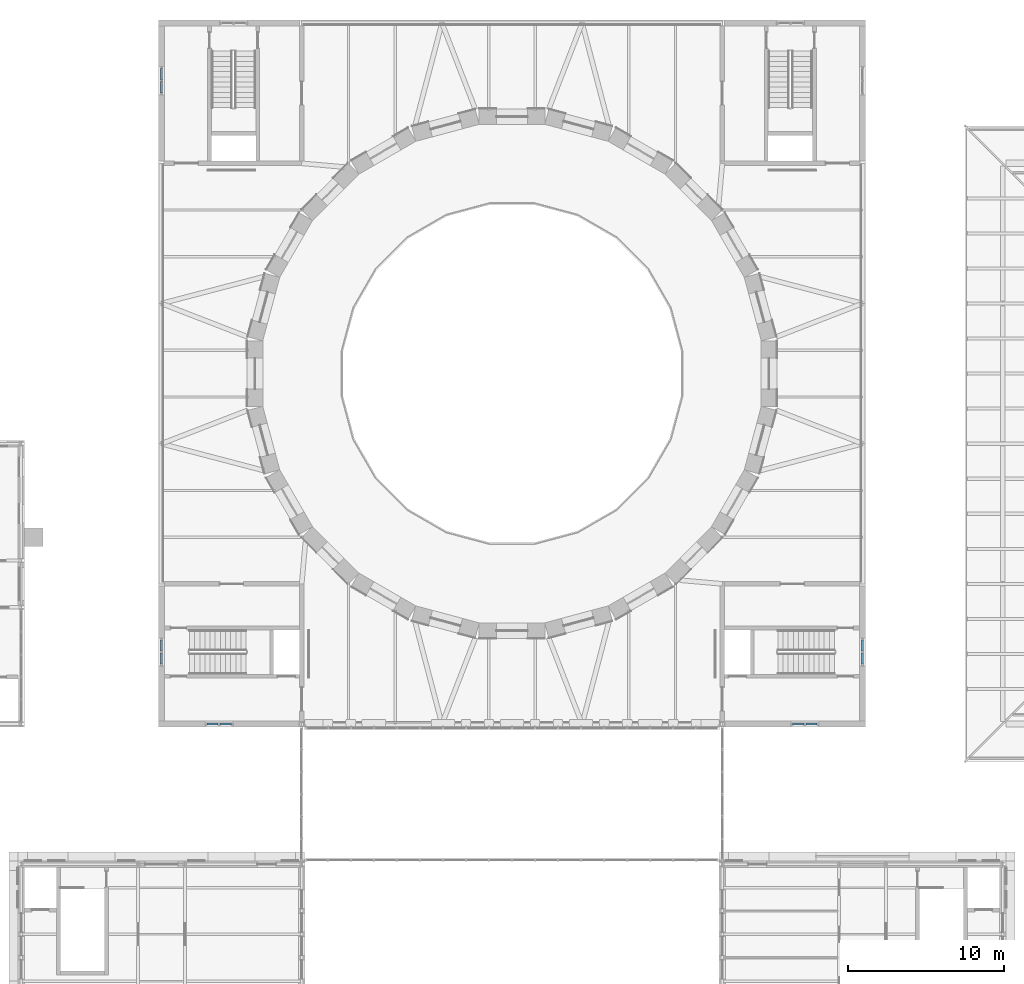
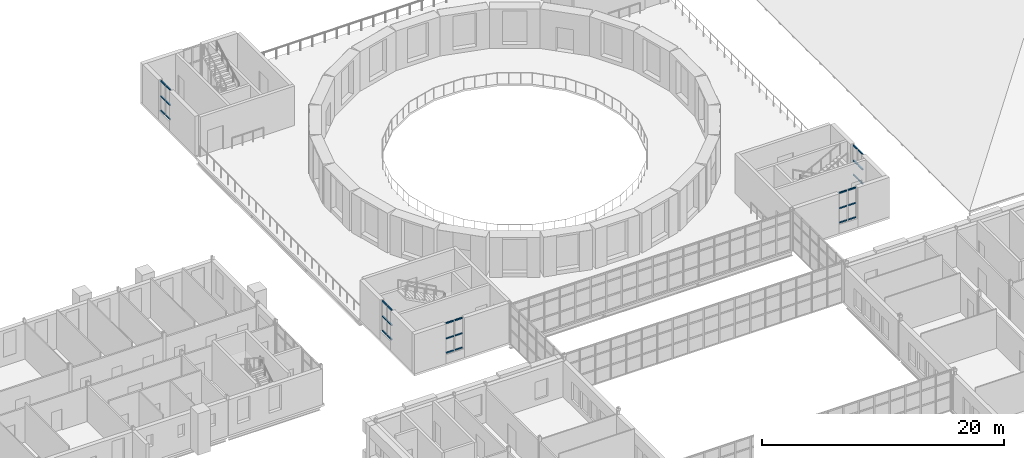
# One storey, part 77 of 154: 30 members, 5 elements without a shape of their own.
"""IFC4 building model written with IfcOpenShell, lengths in metres."""

import ifcopenshell
import ifcopenshell.guid

model = None  # the IFC model being written
_history = None  # IfcOwnerHistory: only IFC2X3 demands one
_inside = {}  # id of a spatial element -> (the spatial element, [elements in it])
_under = {}  # id of a project, library or spatial element -> (it, [spatial elements below it])
_declared = {}  # id of a project -> (the project, [libraries it declares])
_typed = {}  # id of a type object -> (the type object, [elements of that type])
_made_of = {}  # id of a material, layer set ... -> (it, [elements and type objects made of it])


def new_model(schema):
    """Start an empty IFC model of exactly this schema.

    Asked for "IFC4X3", IfcOpenShell would pick the latest addendum, in which some entities
    have other attributes; the version numbers below select the first issue.
    IFC2X3 requires an IfcOwnerHistory on every rooted entity: one is made here for all.
    """
    global model, _history
    if schema == "IFC4X3":
        model = ifcopenshell.file(schema_version=(4, 3, 0, 0))
    else:
        model = ifcopenshell.file(schema=schema)
    _inside.clear()
    _under.clear()
    _declared.clear()
    _typed.clear()
    _made_of.clear()
    _history = None
    if model.schema == "IFC2X3":
        org = make("IfcOrganization", Name="unknown")
        user = make(
            "IfcPersonAndOrganization",
            ThePerson=make("IfcPerson", FamilyName="unknown"),
            TheOrganization=org,
        )
        app = make(
            "IfcApplication",
            ApplicationDeveloper=org,
            Version="unknown",
            ApplicationFullName="unknown",
            ApplicationIdentifier="unknown",
        )
        _history = make(
            "IfcOwnerHistory",
            OwningUser=user,
            OwningApplication=app,
            ChangeAction="ADDED",
            CreationDate=0,
        )
    return model


def make(cls, **values):
    """One entity of the class cls with the attributes given. An attribute that is None is left unset."""
    return model.create_entity(
        cls, **{name: value for name, value in values.items() if value is not None}
    )


def rooted(cls, **values):
    """An entity with a GlobalId (a new one), such as an element, a storey or a relation."""
    return make(cls, GlobalId=ifcopenshell.guid.new(), OwnerHistory=_history, **values)


def si_unit(unit_type, name, prefix=None):
    """IfcSIUnit, for example si_unit("LENGTHUNIT", "METRE", prefix="MILLI")."""
    return make("IfcSIUnit", UnitType=unit_type, Prefix=prefix, Name=name)


def assignment(units):
    """IfcUnitAssignment: the units of a project."""
    return None if units is None else make("IfcUnitAssignment", Units=units)


def point(xyz):
    """IfcCartesianPoint."""
    return None if xyz is None else make("IfcCartesianPoint", Coordinates=xyz)


def direction(xyz):
    """IfcDirection."""
    return None if xyz is None else make("IfcDirection", DirectionRatios=xyz)


def frame(location, z_axis=None, x_axis=None):
    """IfcAxis2Placement3D, a coordinate frame: its origin and axes. An axis left out is left unset."""
    return make(
        "IfcAxis2Placement3D",
        Location=point(location),
        Axis=direction(z_axis),
        RefDirection=direction(x_axis),
    )


def frame_2d(location, x_axis=None):
    """IfcAxis2Placement2D, a coordinate frame in the plane: its origin and x axis."""
    return make(
        "IfcAxis2Placement2D", Location=point(location), RefDirection=direction(x_axis)
    )


def origin():
    """The frame at (0, 0, 0) with its axes left unset."""
    return frame((0.0, 0.0, 0.0))


def origin_2d():
    """The frame at (0, 0) in the plane with its x axis left unset."""
    return frame_2d((0.0, 0.0))


def place(relative_to, where):
    """IfcLocalPlacement: puts the frame where relative to a parent placement (None: the world)."""
    return make(
        "IfcLocalPlacement", PlacementRelTo=relative_to, RelativePlacement=where
    )


def context(
    kind, dimensions, precision=None, world=None, true_north=None, identifier=None
):
    """IfcGeometricRepresentationContext, for example the 3D "Model" context."""
    return make(
        "IfcGeometricRepresentationContext",
        ContextIdentifier=identifier,
        ContextType=kind,
        CoordinateSpaceDimension=dimensions,
        Precision=precision,
        WorldCoordinateSystem=world,
        TrueNorth=true_north,
    )


def subcontext(parent, identifier, kind, view, scale=None):
    """IfcGeometricRepresentationSubContext, for example "Body" below "Model"."""
    return make(
        "IfcGeometricRepresentationSubContext",
        ContextIdentifier=identifier,
        ContextType=kind,
        ParentContext=parent,
        TargetScale=scale,
        TargetView=view,
    )


def project(units=None, contexts=None):
    """IfcProject with its units and contexts."""
    return rooted(
        "IfcProject",
        Name="project",
        RepresentationContexts=contexts,
        UnitsInContext=assignment(units),
    )


def spatial(cls, under=None, at=None, **own):
    """A site, building, storey or space (cls), placed at a placement, below another one or the project."""
    s = rooted(cls, ObjectPlacement=at, **own)
    if under is not None:
        _under.setdefault(under.id(), (under, []))[1].append(s)
    return s


def profile(cls, at=None, kind="AREA", **sizes):
    """A parametric profile (cls). Its sizes go by their IFC names, for example OverallWidth=200.0."""
    return make(cls, ProfileType=kind, Position=at, **sizes)


def hollow_rectangle(**sizes):
    """IfcRectangleHollowProfileDef."""
    return profile("IfcRectangleHollowProfileDef", **sizes)


def extrude(swept, where, along, depth):
    """IfcExtrudedAreaSolid: the profile swept, set in the frame where, extruded along a direction by depth."""
    return make(
        "IfcExtrudedAreaSolid",
        SweptArea=swept,
        Position=where,
        ExtrudedDirection=direction(along),
        Depth=depth,
    )


def shape(context_of_items, identifier, shape_type, items):
    """IfcShapeRepresentation: the items that make up one representation, for example the "Body"."""
    return make(
        "IfcShapeRepresentation",
        ContextOfItems=context_of_items,
        RepresentationIdentifier=identifier,
        RepresentationType=shape_type,
        Items=items,
    )


def material(Name=None, Category=None):
    """IfcMaterial."""
    return make("IfcMaterial", Name=Name, Category=Category)


def material_profile(
    of_material, cross_section, Name=None, Category=None, Priority=None
):
    """IfcMaterialProfile: a cross section and its material."""
    return make(
        "IfcMaterialProfile",
        Name=Name,
        Material=of_material,
        Profile=cross_section,
        Priority=Priority,
        Category=Category,
    )


def profile_set(profiles, Name=None, composite=None):
    """IfcMaterialProfileSet."""
    return make(
        "IfcMaterialProfileSet",
        Name=Name,
        MaterialProfiles=profiles,
        CompositeProfile=composite,
    )


def made_of(thing, what):
    """Note that an element or type object is made of a material, layer set ...; save() writes the relation."""
    if what is not None:
        _made_of.setdefault(what.id(), (what, []))[1].append(thing)
    return thing


def type_object(cls, material=None, **own):
    """A type object (cls), such as IfcWallType, which elements share."""
    return made_of(rooted(cls, **own), material)


def element(
    cls,
    number,
    at=None,
    inside=None,
    cuts=None,
    type_object=None,
    material=None,
    context=None,
    identifier="Body",
    shape_type=None,
    held_by="IfcProductDefinitionShape",
    body=None,
    shapes=None,
    **own,
):
    """One element of the class cls, such as IfcWall. Its Tag is "e" and its number.

    at: its placement. inside: the storey or other place that contains it. cuts: it is an
    opening in that element (IfcRelVoidsElement). A single representation is given by context,
    identifier, shape_type and body (its items); several are given by shapes. held_by: the class
    of the entity that holds the representations. save() writes the other relations.
    """
    e = rooted(cls, Tag="e%d" % number, ObjectPlacement=at, **own)
    if body is not None:
        shapes = [shape(context, identifier, shape_type, body)]
    if shapes is not None:
        e.Representation = make(held_by, Representations=shapes)
    if inside is not None:
        _inside.setdefault(inside.id(), (inside, []))[1].append(e)
    if cuts is not None:
        rooted(
            "IfcRelVoidsElement", RelatingBuildingElement=cuts, RelatedOpeningElement=e
        )
    if type_object is not None:
        _typed.setdefault(type_object.id(), (type_object, []))[1].append(e)
    return made_of(e, material)


def aggregate(whole, parts):
    """IfcRelAggregates: a whole, such as a stair, and the parts it consists of."""
    return rooted("IfcRelAggregates", RelatingObject=whole, RelatedObjects=parts)


def save(model, path):
    """Write the relations noted so far, then the file.

    IfcRelAggregates (storeys below a building ...), IfcRelContainedInSpatialStructure (elements
    in a storey), IfcRelDefinesByType, IfcRelAssociatesMaterial and IfcRelDeclares: one each for
    every whole, place, type object, material and project.
    """
    for whole, parts in _under.values():
        aggregate(whole, parts)
    for where, things in _inside.values():
        rooted(
            "IfcRelContainedInSpatialStructure",
            RelatedElements=things,
            RelatingStructure=where,
        )
    for kind, things in _typed.values():
        rooted("IfcRelDefinesByType", RelatedObjects=things, RelatingType=kind)
    for what, things in _made_of.values():
        rooted("IfcRelAssociatesMaterial", RelatedObjects=things, RelatingMaterial=what)
    for by, libraries in _declared.values():
        rooted("IfcRelDeclares", RelatingContext=by, RelatedDefinitions=libraries)
    model.write(path)


model = new_model("IFC4")

# Units and contexts
model_context = context("Model", 3, precision=1e-05, world=origin(), true_north=direction((0.0, 1.0)))
body_context = subcontext(model_context, "Body", "Model", "MODEL_VIEW")
ifc_project = project(units=[si_unit("LENGTHUNIT", "METRE"), si_unit("AREAUNIT", "SQUARE_METRE"), si_unit("VOLUMEUNIT", "CUBIC_METRE"), si_unit("PLANEANGLEUNIT", "RADIAN"), si_unit("MASSUNIT", "GRAM", prefix="KILO")], contexts=[model_context])

# Site, building, storey
site_placement = place(None, origin())
site = spatial("IfcSite", under=ifc_project, at=site_placement, CompositionType="ELEMENT")
building_placement = place(site_placement, origin())
building = spatial("IfcBuilding", under=site, at=building_placement, Name="Golden Quay Civic Hall", CompositionType="ELEMENT")
storey_placement = place(building_placement, frame((0.0, 0.0, 14.39990234375)))
storey = spatial("IfcBuildingStorey", under=building, at=storey_placement, Name="L03", CompositionType="ELEMENT", Elevation=14.39990234375)

# Curtain wall, members
ifc_material_1 = material(Name="Fire-resisting glass and steel", Category="steel")
curtain_wall_type = type_object("IfcCurtainWallType", Name="Fire-resisting glazed stair curtain wall EI 120", PredefinedType="NOTDEFINED", material=ifc_material_1)
curtain_wall_1_placement = place(storey_placement, origin())
curtain_wall_1 = element("IfcCurtainWall", 1, at=curtain_wall_1_placement, inside=storey, type_object=curtain_wall_type, Name="CW4 stair curtain wall", PredefinedType="NOTDEFINED")
ifc_material_2 = material(Name="Steel S355", Category="steel")
ifc_material_profile = material_profile(ifc_material_2, hollow_rectangle(XDim=0.1201171875, YDim=0.1201171875, WallThickness=0.012451171875, at=origin_2d()), Name="SHS 120x120x12.5")
ifc_profile_set = profile_set([ifc_material_profile], Name="Steel S355")
member_type = type_object("IfcMemberType", Name="Fire-resisting steel stair transom 120 x 120", PredefinedType="USERDEFINED", material=ifc_profile_set)
member_1_placement = place(storey_placement, frame((65.919921875, 63.0, 0.960205078125), z_axis=(1.0, 0.0, 0.0), x_axis=(0.0, 1.0, 0.0)))
member_1 = element("IfcMember", 2, at=member_1_placement, type_object=member_type, Name="CW4 transom 1.1", ObjectType="TRANSOM", PredefinedType="USERDEFINED", context=body_context, shape_type="SweptSolid", body=[
    extrude(hollow_rectangle(XDim=0.1201171875, YDim=0.1201171875, WallThickness=0.012451171875, at=origin_2d()), origin(), (0.0, 0.0, 1.0), 0.719970703125),
])
member_2_placement = place(storey_placement, frame((65.919921875, 63.0, 2.400146484375), z_axis=(1.0, 0.0, 0.0), x_axis=(0.0, 1.0, 0.0)))
member_2 = element("IfcMember", 3, at=member_2_placement, type_object=member_type, Name="CW4 transom 1.2", ObjectType="TRANSOM", PredefinedType="USERDEFINED", context=body_context, shape_type="SweptSolid", body=[
    extrude(hollow_rectangle(XDim=0.1201171875, YDim=0.1201171875, WallThickness=0.012451171875, at=origin_2d()), origin(), (0.0, 0.0, 1.0), 0.719970703125),
])
member_3_placement = place(storey_placement, frame((65.919921875, 63.0, 3.940185546875), z_axis=(1.0, 0.0, 0.0), x_axis=(0.0, 1.0, 0.0)))
member_3 = element("IfcMember", 4, at=member_3_placement, type_object=member_type, Name="CW4 transom 1.3", ObjectType="TRANSOM", PredefinedType="USERDEFINED", context=body_context, shape_type="SweptSolid", body=[
    extrude(hollow_rectangle(XDim=0.1201171875, YDim=0.1201171875, WallThickness=0.012451171875, at=origin_2d()), origin(), (0.0, 0.0, 1.0), 0.719970703125),
])
member_4_placement = place(storey_placement, frame((66.760009765625, 63.0, 0.960205078125), z_axis=(1.0, 0.0, 0.0), x_axis=(0.0, 1.0, 0.0)))
member_4 = element("IfcMember", 5, at=member_4_placement, type_object=member_type, Name="CW4 transom 2.1", ObjectType="TRANSOM", PredefinedType="USERDEFINED", context=body_context, shape_type="SweptSolid", body=[
    extrude(hollow_rectangle(XDim=0.1201171875, YDim=0.1201171875, WallThickness=0.012451171875, at=origin_2d()), origin(), (0.0, 0.0, 1.0), 0.719970703125),
])
member_5_placement = place(storey_placement, frame((66.760009765625, 63.0, 2.400146484375), z_axis=(1.0, 0.0, 0.0), x_axis=(0.0, 1.0, 0.0)))
member_5 = element("IfcMember", 6, at=member_5_placement, type_object=member_type, Name="CW4 transom 2.2", ObjectType="TRANSOM", PredefinedType="USERDEFINED", context=body_context, shape_type="SweptSolid", body=[
    extrude(hollow_rectangle(XDim=0.1201171875, YDim=0.1201171875, WallThickness=0.012451171875, at=origin_2d()), origin(), (0.0, 0.0, 1.0), 0.719970703125),
])
member_6_placement = place(storey_placement, frame((66.760009765625, 63.0, 3.940185546875), z_axis=(1.0, 0.0, 0.0), x_axis=(0.0, 1.0, 0.0)))
member_6 = element("IfcMember", 7, at=member_6_placement, type_object=member_type, Name="CW4 transom 2.3", ObjectType="TRANSOM", PredefinedType="USERDEFINED", context=body_context, shape_type="SweptSolid", body=[
    extrude(hollow_rectangle(XDim=0.1201171875, YDim=0.1201171875, WallThickness=0.012451171875, at=origin_2d()), origin(), (0.0, 0.0, 1.0), 0.719970703125),
])
aggregate(curtain_wall_1, [member_1, member_2, member_3, member_4, member_5, member_6])

curtain_wall_2_placement = place(storey_placement, origin())
curtain_wall_2 = element("IfcCurtainWall", 8, at=curtain_wall_2_placement, inside=storey, type_object=curtain_wall_type, Name="CW4 stair curtain wall", PredefinedType="NOTDEFINED")
member_7_placement = place(storey_placement, frame((63.0, 66.844970703125, 0.960205078125), z_axis=(0.0, 1.0, 0.0), x_axis=(-1.0, 0.0, 0.0)))
member_7 = element("IfcMember", 9, at=member_7_placement, type_object=member_type, Name="CW4 transom 1.1", ObjectType="TRANSOM", PredefinedType="USERDEFINED", context=body_context, shape_type="SweptSolid", body=[
    extrude(hollow_rectangle(XDim=0.1201171875, YDim=0.1201171875, WallThickness=0.012451171875, at=origin_2d()), origin(), (0.0, 0.0, 1.0), 0.719970703125),
])
member_8_placement = place(storey_placement, frame((63.0, 66.844970703125, 2.400146484375), z_axis=(0.0, 1.0, 0.0), x_axis=(-1.0, 0.0, 0.0)))
member_8 = element("IfcMember", 10, at=member_8_placement, type_object=member_type, Name="CW4 transom 1.2", ObjectType="TRANSOM", PredefinedType="USERDEFINED", context=body_context, shape_type="SweptSolid", body=[
    extrude(hollow_rectangle(XDim=0.1201171875, YDim=0.1201171875, WallThickness=0.012451171875, at=origin_2d()), origin(), (0.0, 0.0, 1.0), 0.719970703125),
])
member_9_placement = place(storey_placement, frame((63.0, 66.844970703125, 3.940185546875), z_axis=(0.0, 1.0, 0.0), x_axis=(-1.0, 0.0, 0.0)))
member_9 = element("IfcMember", 11, at=member_9_placement, type_object=member_type, Name="CW4 transom 1.3", ObjectType="TRANSOM", PredefinedType="USERDEFINED", context=body_context, shape_type="SweptSolid", body=[
    extrude(hollow_rectangle(XDim=0.1201171875, YDim=0.1201171875, WallThickness=0.012451171875, at=origin_2d()), origin(), (0.0, 0.0, 1.0), 0.719970703125),
])
member_10_placement = place(storey_placement, frame((63.0, 67.68505859375, 0.960205078125), z_axis=(0.0, 1.0, 0.0), x_axis=(-1.0, 0.0, 0.0)))
member_10 = element("IfcMember", 12, at=member_10_placement, type_object=member_type, Name="CW4 transom 2.1", ObjectType="TRANSOM", PredefinedType="USERDEFINED", context=body_context, shape_type="SweptSolid", body=[
    extrude(hollow_rectangle(XDim=0.1201171875, YDim=0.1201171875, WallThickness=0.012451171875, at=origin_2d()), origin(), (0.0, 0.0, 1.0), 0.719970703125),
])
member_11_placement = place(storey_placement, frame((63.0, 67.68505859375, 2.400146484375), z_axis=(0.0, 1.0, 0.0), x_axis=(-1.0, 0.0, 0.0)))
member_11 = element("IfcMember", 13, at=member_11_placement, type_object=member_type, Name="CW4 transom 2.2", ObjectType="TRANSOM", PredefinedType="USERDEFINED", context=body_context, shape_type="SweptSolid", body=[
    extrude(hollow_rectangle(XDim=0.1201171875, YDim=0.1201171875, WallThickness=0.012451171875, at=origin_2d()), origin(), (0.0, 0.0, 1.0), 0.719970703125),
])
member_12_placement = place(storey_placement, frame((63.0, 67.68505859375, 3.940185546875), z_axis=(0.0, 1.0, 0.0), x_axis=(-1.0, 0.0, 0.0)))
member_12 = element("IfcMember", 14, at=member_12_placement, type_object=member_type, Name="CW4 transom 2.3", ObjectType="TRANSOM", PredefinedType="USERDEFINED", context=body_context, shape_type="SweptSolid", body=[
    extrude(hollow_rectangle(XDim=0.1201171875, YDim=0.1201171875, WallThickness=0.012451171875, at=origin_2d()), origin(), (0.0, 0.0, 1.0), 0.719970703125),
])
aggregate(curtain_wall_2, [member_7, member_8, member_9, member_10, member_11, member_12])

curtain_wall_3_placement = place(storey_placement, origin())
curtain_wall_3 = element("IfcCurtainWall", 15, at=curtain_wall_3_placement, inside=storey, type_object=curtain_wall_type, Name="CW4 stair curtain wall", PredefinedType="NOTDEFINED")
member_13_placement = place(storey_placement, frame((103.52001953125, 63.0, 0.960205078125), z_axis=(1.0, 0.0, 0.0), x_axis=(0.0, 1.0, 0.0)))
member_13 = element("IfcMember", 16, at=member_13_placement, type_object=member_type, Name="CW4 transom 1.1", ObjectType="TRANSOM", PredefinedType="USERDEFINED", context=body_context, shape_type="SweptSolid", body=[
    extrude(hollow_rectangle(XDim=0.1201171875, YDim=0.1201171875, WallThickness=0.012451171875, at=origin_2d()), origin(), (0.0, 0.0, 1.0), 0.719970703125),
])
member_14_placement = place(storey_placement, frame((103.52001953125, 63.0, 2.400146484375), z_axis=(1.0, 0.0, 0.0), x_axis=(0.0, 1.0, 0.0)))
member_14 = element("IfcMember", 17, at=member_14_placement, type_object=member_type, Name="CW4 transom 1.2", ObjectType="TRANSOM", PredefinedType="USERDEFINED", context=body_context, shape_type="SweptSolid", body=[
    extrude(hollow_rectangle(XDim=0.1201171875, YDim=0.1201171875, WallThickness=0.012451171875, at=origin_2d()), origin(), (0.0, 0.0, 1.0), 0.719970703125),
])
member_15_placement = place(storey_placement, frame((103.52001953125, 63.0, 3.940185546875), z_axis=(1.0, 0.0, 0.0), x_axis=(0.0, 1.0, 0.0)))
member_15 = element("IfcMember", 18, at=member_15_placement, type_object=member_type, Name="CW4 transom 1.3", ObjectType="TRANSOM", PredefinedType="USERDEFINED", context=body_context, shape_type="SweptSolid", body=[
    extrude(hollow_rectangle(XDim=0.1201171875, YDim=0.1201171875, WallThickness=0.012451171875, at=origin_2d()), origin(), (0.0, 0.0, 1.0), 0.719970703125),
])
member_16_placement = place(storey_placement, frame((104.360107421875, 63.0, 0.960205078125), z_axis=(1.0, 0.0, 0.0), x_axis=(0.0, 1.0, 0.0)))
member_16 = element("IfcMember", 19, at=member_16_placement, type_object=member_type, Name="CW4 transom 2.1", ObjectType="TRANSOM", PredefinedType="USERDEFINED", context=body_context, shape_type="SweptSolid", body=[
    extrude(hollow_rectangle(XDim=0.1201171875, YDim=0.1201171875, WallThickness=0.012451171875, at=origin_2d()), origin(), (0.0, 0.0, 1.0), 0.719970703125),
])
member_17_placement = place(storey_placement, frame((104.360107421875, 63.0, 2.400146484375), z_axis=(1.0, 0.0, 0.0), x_axis=(0.0, 1.0, 0.0)))
member_17 = element("IfcMember", 20, at=member_17_placement, type_object=member_type, Name="CW4 transom 2.2", ObjectType="TRANSOM", PredefinedType="USERDEFINED", context=body_context, shape_type="SweptSolid", body=[
    extrude(hollow_rectangle(XDim=0.1201171875, YDim=0.1201171875, WallThickness=0.012451171875, at=origin_2d()), origin(), (0.0, 0.0, 1.0), 0.719970703125),
])
member_18_placement = place(storey_placement, frame((104.360107421875, 63.0, 3.940185546875), z_axis=(1.0, 0.0, 0.0), x_axis=(0.0, 1.0, 0.0)))
member_18 = element("IfcMember", 21, at=member_18_placement, type_object=member_type, Name="CW4 transom 2.3", ObjectType="TRANSOM", PredefinedType="USERDEFINED", context=body_context, shape_type="SweptSolid", body=[
    extrude(hollow_rectangle(XDim=0.1201171875, YDim=0.1201171875, WallThickness=0.012451171875, at=origin_2d()), origin(), (0.0, 0.0, 1.0), 0.719970703125),
])
aggregate(curtain_wall_3, [member_13, member_14, member_15, member_16, member_17, member_18])

curtain_wall_4_placement = place(storey_placement, origin())
curtain_wall_4 = element("IfcCurtainWall", 22, at=curtain_wall_4_placement, inside=storey, type_object=curtain_wall_type, Name="CW4 stair curtain wall", PredefinedType="NOTDEFINED")
member_19_placement = place(storey_placement, frame((108.0, 66.844970703125, 0.960205078125), z_axis=(0.0, 1.0, 0.0), x_axis=(-1.0, 0.0, 0.0)))
member_19 = element("IfcMember", 23, at=member_19_placement, type_object=member_type, Name="CW4 transom 1.1", ObjectType="TRANSOM", PredefinedType="USERDEFINED", context=body_context, shape_type="SweptSolid", body=[
    extrude(hollow_rectangle(XDim=0.1201171875, YDim=0.1201171875, WallThickness=0.012451171875, at=origin_2d()), origin(), (0.0, 0.0, 1.0), 0.719970703125),
])
member_20_placement = place(storey_placement, frame((108.0, 66.844970703125, 2.400146484375), z_axis=(0.0, 1.0, 0.0), x_axis=(-1.0, 0.0, 0.0)))
member_20 = element("IfcMember", 24, at=member_20_placement, type_object=member_type, Name="CW4 transom 1.2", ObjectType="TRANSOM", PredefinedType="USERDEFINED", context=body_context, shape_type="SweptSolid", body=[
    extrude(hollow_rectangle(XDim=0.1201171875, YDim=0.1201171875, WallThickness=0.012451171875, at=origin_2d()), origin(), (0.0, 0.0, 1.0), 0.719970703125),
])
member_21_placement = place(storey_placement, frame((108.0, 66.844970703125, 3.940185546875), z_axis=(0.0, 1.0, 0.0), x_axis=(-1.0, 0.0, 0.0)))
member_21 = element("IfcMember", 25, at=member_21_placement, type_object=member_type, Name="CW4 transom 1.3", ObjectType="TRANSOM", PredefinedType="USERDEFINED", context=body_context, shape_type="SweptSolid", body=[
    extrude(hollow_rectangle(XDim=0.1201171875, YDim=0.1201171875, WallThickness=0.012451171875, at=origin_2d()), origin(), (0.0, 0.0, 1.0), 0.719970703125),
])
member_22_placement = place(storey_placement, frame((108.0, 67.68505859375, 0.960205078125), z_axis=(0.0, 1.0, 0.0), x_axis=(-1.0, 0.0, 0.0)))
member_22 = element("IfcMember", 26, at=member_22_placement, type_object=member_type, Name="CW4 transom 2.1", ObjectType="TRANSOM", PredefinedType="USERDEFINED", context=body_context, shape_type="SweptSolid", body=[
    extrude(hollow_rectangle(XDim=0.1201171875, YDim=0.1201171875, WallThickness=0.012451171875, at=origin_2d()), origin(), (0.0, 0.0, 1.0), 0.719970703125),
])
member_23_placement = place(storey_placement, frame((108.0, 67.68505859375, 2.400146484375), z_axis=(0.0, 1.0, 0.0), x_axis=(-1.0, 0.0, 0.0)))
member_23 = element("IfcMember", 27, at=member_23_placement, type_object=member_type, Name="CW4 transom 2.2", ObjectType="TRANSOM", PredefinedType="USERDEFINED", context=body_context, shape_type="SweptSolid", body=[
    extrude(hollow_rectangle(XDim=0.1201171875, YDim=0.1201171875, WallThickness=0.012451171875, at=origin_2d()), origin(), (0.0, 0.0, 1.0), 0.719970703125),
])
member_24_placement = place(storey_placement, frame((108.0, 67.68505859375, 3.940185546875), z_axis=(0.0, 1.0, 0.0), x_axis=(-1.0, 0.0, 0.0)))
member_24 = element("IfcMember", 28, at=member_24_placement, type_object=member_type, Name="CW4 transom 2.3", ObjectType="TRANSOM", PredefinedType="USERDEFINED", context=body_context, shape_type="SweptSolid", body=[
    extrude(hollow_rectangle(XDim=0.1201171875, YDim=0.1201171875, WallThickness=0.012451171875, at=origin_2d()), origin(), (0.0, 0.0, 1.0), 0.719970703125),
])
aggregate(curtain_wall_4, [member_19, member_20, member_21, member_22, member_23, member_24])

curtain_wall_5_placement = place(storey_placement, origin())
curtain_wall_5 = element("IfcCurtainWall", 29, at=curtain_wall_5_placement, inside=storey, type_object=curtain_wall_type, Name="CW4 stair curtain wall", PredefinedType="NOTDEFINED")
member_25_placement = place(storey_placement, frame((63.0, 103.52001953125, 0.960205078125), z_axis=(0.0, 1.0, 0.0), x_axis=(-1.0, 0.0, 0.0)))
member_25 = element("IfcMember", 30, at=member_25_placement, type_object=member_type, Name="CW4 transom 1.1", ObjectType="TRANSOM", PredefinedType="USERDEFINED", context=body_context, shape_type="SweptSolid", body=[
    extrude(hollow_rectangle(XDim=0.1201171875, YDim=0.1201171875, WallThickness=0.012451171875, at=origin_2d()), origin(), (0.0, 0.0, 1.0), 0.719970703125),
])
member_26_placement = place(storey_placement, frame((63.0, 103.52001953125, 2.400146484375), z_axis=(0.0, 1.0, 0.0), x_axis=(-1.0, 0.0, 0.0)))
member_26 = element("IfcMember", 31, at=member_26_placement, type_object=member_type, Name="CW4 transom 1.2", ObjectType="TRANSOM", PredefinedType="USERDEFINED", context=body_context, shape_type="SweptSolid", body=[
    extrude(hollow_rectangle(XDim=0.1201171875, YDim=0.1201171875, WallThickness=0.012451171875, at=origin_2d()), origin(), (0.0, 0.0, 1.0), 0.719970703125),
])
member_27_placement = place(storey_placement, frame((63.0, 103.52001953125, 3.940185546875), z_axis=(0.0, 1.0, 0.0), x_axis=(-1.0, 0.0, 0.0)))
member_27 = element("IfcMember", 32, at=member_27_placement, type_object=member_type, Name="CW4 transom 1.3", ObjectType="TRANSOM", PredefinedType="USERDEFINED", context=body_context, shape_type="SweptSolid", body=[
    extrude(hollow_rectangle(XDim=0.1201171875, YDim=0.1201171875, WallThickness=0.012451171875, at=origin_2d()), origin(), (0.0, 0.0, 1.0), 0.719970703125),
])
member_28_placement = place(storey_placement, frame((63.0, 104.360107421875, 0.960205078125), z_axis=(0.0, 1.0, 0.0), x_axis=(-1.0, 0.0, 0.0)))
member_28 = element("IfcMember", 33, at=member_28_placement, type_object=member_type, Name="CW4 transom 2.1", ObjectType="TRANSOM", PredefinedType="USERDEFINED", context=body_context, shape_type="SweptSolid", body=[
    extrude(hollow_rectangle(XDim=0.1201171875, YDim=0.1201171875, WallThickness=0.012451171875, at=origin_2d()), origin(), (0.0, 0.0, 1.0), 0.719970703125),
])
member_29_placement = place(storey_placement, frame((63.0, 104.360107421875, 2.400146484375), z_axis=(0.0, 1.0, 0.0), x_axis=(-1.0, 0.0, 0.0)))
member_29 = element("IfcMember", 34, at=member_29_placement, type_object=member_type, Name="CW4 transom 2.2", ObjectType="TRANSOM", PredefinedType="USERDEFINED", context=body_context, shape_type="SweptSolid", body=[
    extrude(hollow_rectangle(XDim=0.1201171875, YDim=0.1201171875, WallThickness=0.012451171875, at=origin_2d()), origin(), (0.0, 0.0, 1.0), 0.719970703125),
])
member_30_placement = place(storey_placement, frame((63.0, 104.360107421875, 3.940185546875), z_axis=(0.0, 1.0, 0.0), x_axis=(-1.0, 0.0, 0.0)))
member_30 = element("IfcMember", 35, at=member_30_placement, type_object=member_type, Name="CW4 transom 2.3", ObjectType="TRANSOM", PredefinedType="USERDEFINED", context=body_context, shape_type="SweptSolid", body=[
    extrude(hollow_rectangle(XDim=0.1201171875, YDim=0.1201171875, WallThickness=0.012451171875, at=origin_2d()), origin(), (0.0, 0.0, 1.0), 0.719970703125),
])
aggregate(curtain_wall_5, [member_25, member_26, member_27, member_28, member_29, member_30])

save(model, "model.ifc")
